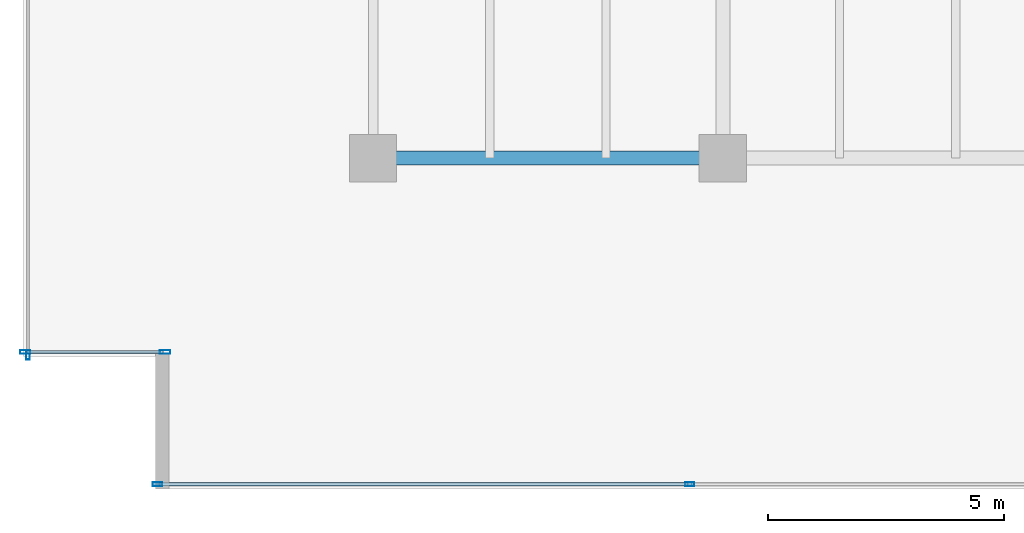
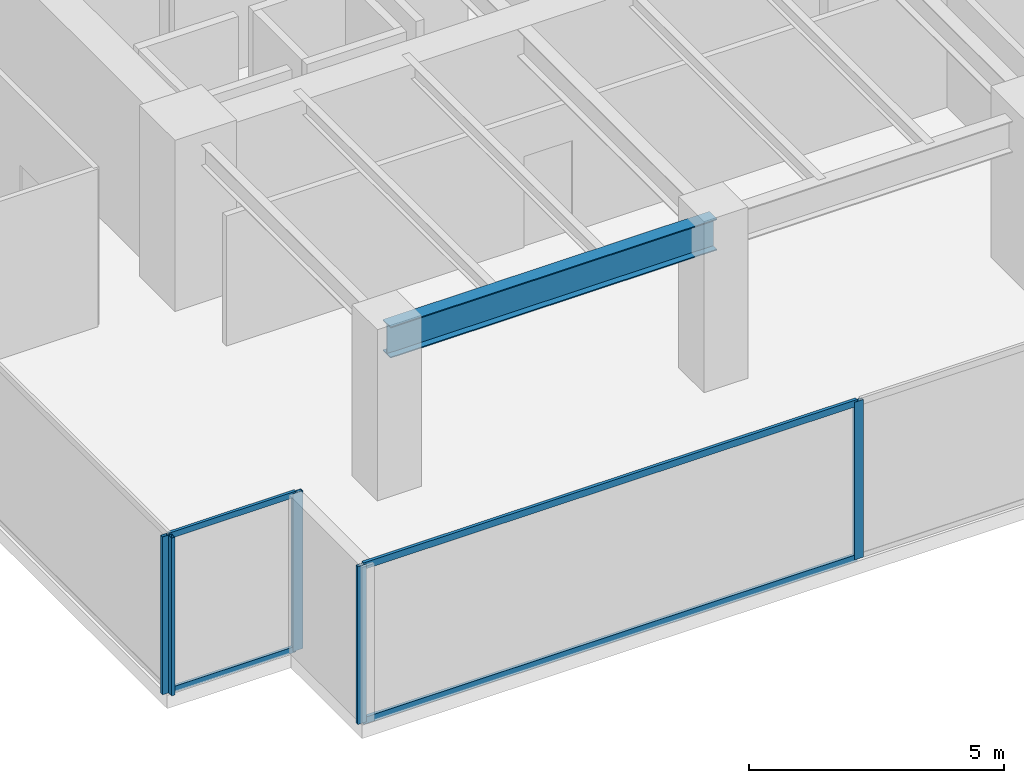
# One storey, part 2 of 35: 9 members, 1 beam, 3 elements without a shape of their own.
"""IFC4 building model written with IfcOpenShell, lengths in metres."""

from ifc_helpers import new_model, si_unit, direction, frame, origin, origin_2d, place, context, subcontext, project, spatial, hollow_rectangle, i_section, extrude, source, transform, mapped, material, layer, layer_set, material_profile, profile_set, type_object, type_shapes, element, aggregate, save


model = new_model("IFC4")

# Units and contexts
model_context = context("Model", 3, precision=1e-05, world=origin(), true_north=direction((0.0, 1.0)))
body_context = subcontext(model_context, "Body", "Model", "MODEL_VIEW")
ifc_project = project(units=[si_unit("LENGTHUNIT", "METRE"), si_unit("AREAUNIT", "SQUARE_METRE"), si_unit("VOLUMEUNIT", "CUBIC_METRE"), si_unit("PLANEANGLEUNIT", "RADIAN"), si_unit("MASSUNIT", "GRAM", prefix="KILO")], contexts=[model_context])

# Site, building, storey
site_placement = place(None, origin())
site = spatial("IfcSite", under=ifc_project, at=site_placement, CompositionType="ELEMENT")
building_placement = place(site_placement, origin())
building = spatial("IfcBuilding", under=site, at=building_placement, Name="Haelvirn Gate Laboratories", CompositionType="ELEMENT")
storey_placement = place(building_placement, frame((0.0, 0.0, 90.800048828125)))
storey = spatial("IfcBuildingStorey", under=building, at=storey_placement, Name="L22", CompositionType="ELEMENT", Elevation=90.800048828125)

# Beam
ifc_material_1 = material(Name="Steel SM355", Category="steel")
ifc_material_profile_1 = material_profile(ifc_material_1, i_section(OverallWidth=0.300048828125, OverallDepth=0.75, WebThickness=0.013916015625, FlangeThickness=0.02392578125, at=origin_2d()), Name="H-750x300x14x24")
ifc_profile_set_1 = profile_set([ifc_material_profile_1], Name="Steel SM355")
beam_type = type_object("IfcBeamType", Name="BM-G-750", PredefinedType="BEAM", material=ifc_profile_set_1)
shared_shape_1 = source(origin(), body_context, "Body", "SweptSolid", [
    extrude(i_section(OverallWidth=0.300048828125, OverallDepth=0.75, WebThickness=0.013916015625, FlangeThickness=0.02392578125, at=origin_2d()), origin(), (0.0, 0.0, 1.0), 7.400146484375),
])
type_shapes(beam_type, [shared_shape_1])
beam_placement = place(storey_placement, frame((7.39990234375, 7.0, 3.405029296875), z_axis=(1.0, 0.0, 0.0), x_axis=(0.0, 1.0, 0.0)))
element("IfcBeam", 1, at=beam_placement, inside=storey, type_object=beam_type, Name="L22 Primary Girder Y7.0 (7.4-14.8)", PredefinedType="BEAM", context=body_context, shape_type="MappedRepresentation", body=[
    mapped(shared_shape_1, transform((0.0, 0.0, 0.0), scale=1.0)),
])

# Curtain wall, members
ifc_material_2 = material(Name="Anodised bronze unitised aluminium & triple low-E glass", Category="aluminium")
ifc_layer_1 = layer(ifc_material_2, 0.18408203125, Name="CW-SYS-2")
ifc_layer_set_1 = layer_set([ifc_layer_1], Name="Anodised bronze unitised aluminium & triple low-E glass")
curtain_wall_type_1 = type_object("IfcCurtainWallType", Name="CW-SYS-2", PredefinedType="NOTDEFINED", material=ifc_layer_set_1)
curtain_wall_1_placement = place(storey_placement, origin())
curtain_wall_1 = element("IfcCurtainWall", 2, at=curtain_wall_1_placement, inside=storey, type_object=curtain_wall_type_1, Name="L22 Unitised Curtain Wall CW-L22-P0-E00-1", PredefinedType="NOTDEFINED")
ifc_material_3 = material(Name="Extruded aluminium 6063-T6 (anodised bronze)", Category="aluminium")
ifc_material_profile_2 = material_profile(ifc_material_3, hollow_rectangle(XDim=0.074951171875, YDim=0.199951171875, WallThickness=0.0048828125, at=origin_2d()), Name="CWM-200x75x5")
ifc_profile_set_2 = profile_set([ifc_material_profile_2], Name="Extruded aluminium 6063-T6 (anodised bronze)")
member_type_1 = type_object("IfcMemberType", Name="CWM-T200", PredefinedType="MULLION", material=ifc_profile_set_2)
shared_shape_2 = source(origin(), body_context, "Body", "SweptSolid", [
    extrude(hollow_rectangle(XDim=0.074951171875, YDim=0.199951171875, WallThickness=0.0048828125, at=origin_2d()), origin(), (0.0, 0.0, 1.0), 3.780029296875),
])
type_shapes(member_type_1, [shared_shape_2])
member_1_placement = place(storey_placement, frame((2.83740234375, 0.10009765625, 0.0), z_axis=(0.0, 0.0, 1.0), x_axis=(0.0, 1.0, 0.0)))
member_1 = element("IfcMember", 3, at=member_1_placement, type_object=member_type_1, Name="CW2 mullion 1", PredefinedType="MULLION", context=body_context, shape_type="MappedRepresentation", body=[
    mapped(shared_shape_2, transform((0.0, 0.0, 0.0), scale=1.0)),
])
member_2_placement = place(storey_placement, frame((14.10009765625, 0.10009765625, 0.0), z_axis=(0.0, 0.0, 1.0), x_axis=(0.0, 1.0, 0.0)))
member_2 = element("IfcMember", 4, at=member_2_placement, type_object=member_type_1, Name="CW2 mullion 2", PredefinedType="MULLION", context=body_context, shape_type="MappedRepresentation", body=[
    mapped(shared_shape_2, transform((0.0, 0.0, 0.0), scale=1.0)),
])

# Curtain wall, member
curtain_wall_2_placement = place(storey_placement, origin())
curtain_wall_2 = element("IfcCurtainWall", 5, at=curtain_wall_2_placement, inside=storey, type_object=curtain_wall_type_1, Name="L22 Unitised Curtain Wall CW-L22-P0-E17", PredefinedType="NOTDEFINED")
member_3_placement = place(storey_placement, frame((0.10009765625, 2.83740234375, 0.0), z_axis=(0.0, 0.0, 1.0), x_axis=(1.0, 0.0, 0.0)))
member_3 = element("IfcMember", 6, at=member_3_placement, type_object=member_type_1, Name="CW2 mullion 4", PredefinedType="MULLION", context=body_context, shape_type="MappedRepresentation", body=[
    mapped(shared_shape_2, transform((0.0, 0.0, 0.0), scale=1.0)),
])
aggregate(curtain_wall_2, [member_3])

# Member
ifc_material_profile_3 = material_profile(ifc_material_3, hollow_rectangle(XDim=0.070068359375, YDim=0.159912109375, WallThickness=0.0048828125, at=origin_2d()), Name="CWT-160x70x5")
ifc_profile_set_3 = profile_set([ifc_material_profile_3], Name="Extruded aluminium 6063-T6 (anodised bronze)")
member_type_2 = type_object("IfcMemberType", Name="CWT-T160", PredefinedType="USERDEFINED", material=ifc_profile_set_3)
shared_shape_3 = source(origin(), body_context, "Body", "SweptSolid", [
    extrude(hollow_rectangle(XDim=0.070068359375, YDim=0.159912109375, WallThickness=0.0048828125, at=origin_2d()), origin(), (0.0, 0.0, 1.0), 11.1875),
])
type_shapes(member_type_2, [shared_shape_3])
member_4_placement = place(storey_placement, frame((2.875, 0.10009765625, 0.034912109375), z_axis=(1.0, 0.0, 0.0), x_axis=(0.0, 1.0, 0.0)))
member_4 = element("IfcMember", 7, at=member_4_placement, type_object=member_type_2, Name="CW2 transom 1.1", ObjectType="TRANSOM", PredefinedType="USERDEFINED", context=body_context, shape_type="MappedRepresentation", body=[
    mapped(shared_shape_3, transform((0.0, 0.0, 0.0), scale=1.0)),
])

member_5_placement = place(storey_placement, frame((2.875, 0.10009765625, 3.744873046875), z_axis=(1.0, 0.0, 0.0), x_axis=(0.0, 1.0, 0.0)))
member_5 = element("IfcMember", 8, at=member_5_placement, type_object=member_type_2, Name="CW2 transom 1.2", ObjectType="TRANSOM", PredefinedType="USERDEFINED", context=body_context, shape_type="MappedRepresentation", body=[
    mapped(shared_shape_3, transform((0.0, 0.0, 0.0), scale=1.0)),
])

aggregate(curtain_wall_1, [member_1, member_2, member_4, member_5])

# Curtain wall, members
ifc_layer_2 = layer(ifc_material_2, 0.181884765625, Name="CW-SYS-5")
ifc_layer_set_2 = layer_set([ifc_layer_2], Name="Anodised bronze unitised aluminium & triple low-E glass")
curtain_wall_type_2 = type_object("IfcCurtainWallType", Name="CW-SYS-5", PredefinedType="NOTDEFINED", material=ifc_layer_set_2)
curtain_wall_3_placement = place(storey_placement, origin())
curtain_wall_3 = element("IfcCurtainWall", 9, at=curtain_wall_3_placement, inside=storey, type_object=curtain_wall_type_2, Name="L22 Unitised Curtain Wall CW-L22-P0-E18-1", PredefinedType="NOTDEFINED")
ifc_material_profile_4 = material_profile(ifc_material_3, hollow_rectangle(XDim=0.080078125, YDim=0.219970703125, WallThickness=0.006103515625, at=origin_2d()), Name="CWM-220x80x6")
ifc_profile_set_4 = profile_set([ifc_material_profile_4], Name="Extruded aluminium 6063-T6 (anodised bronze)")
member_type_3 = type_object("IfcMemberType", Name="CWM-T220", PredefinedType="MULLION", material=ifc_profile_set_4)
shared_shape_4 = source(origin(), body_context, "Body", "SweptSolid", [
    extrude(hollow_rectangle(XDim=0.080078125, YDim=0.219970703125, WallThickness=0.006103515625, at=origin_2d()), origin(), (0.0, 0.0, 1.0), 3.780029296875),
])
type_shapes(member_type_3, [shared_shape_4])
member_6_placement = place(storey_placement, frame((0.0400390625, 2.89990234375, 0.0), z_axis=(0.0, 0.0, 1.0), x_axis=(0.0, 1.0, 0.0)))
member_6 = element("IfcMember", 10, at=member_6_placement, type_object=member_type_3, Name="CW5 mullion 1", PredefinedType="MULLION", context=body_context, shape_type="MappedRepresentation", body=[
    mapped(shared_shape_4, transform((0.0, 0.0, 0.0), scale=1.0)),
])
member_7_placement = place(storey_placement, frame((3.0, 2.89990234375, 0.0), z_axis=(0.0, 0.0, 1.0), x_axis=(0.0, 1.0, 0.0)))
member_7 = element("IfcMember", 11, at=member_7_placement, type_object=member_type_3, Name="CW5 mullion 2", PredefinedType="MULLION", context=body_context, shape_type="MappedRepresentation", body=[
    mapped(shared_shape_4, transform((0.0, 0.0, 0.0), scale=1.0)),
])
ifc_material_profile_5 = material_profile(ifc_material_3, hollow_rectangle(XDim=0.06494140625, YDim=0.139892578125, WallThickness=0.00390625, at=origin_2d()), Name="CWT-140x65x4")
ifc_profile_set_5 = profile_set([ifc_material_profile_5], Name="Extruded aluminium 6063-T6 (anodised bronze)")
member_type_4 = type_object("IfcMemberType", Name="CWT-T140", PredefinedType="USERDEFINED", material=ifc_profile_set_5)
shared_shape_5 = source(origin(), body_context, "Body", "SweptSolid", [
    extrude(hollow_rectangle(XDim=0.06494140625, YDim=0.139892578125, WallThickness=0.00390625, at=origin_2d()), origin(), (0.0, 0.0, 1.0), 2.8798828125),
])
type_shapes(member_type_4, [shared_shape_5])
member_8_placement = place(storey_placement, frame((0.080078125, 2.89990234375, 0.032470703125), z_axis=(1.0, 0.0, 0.0), x_axis=(0.0, 1.0, 0.0)))
member_8 = element("IfcMember", 12, at=member_8_placement, type_object=member_type_4, Name="CW5 transom 1.1", ObjectType="TRANSOM", PredefinedType="USERDEFINED", context=body_context, shape_type="MappedRepresentation", body=[
    mapped(shared_shape_5, transform((0.0, 0.0, 0.0), scale=1.0)),
])
member_9_placement = place(storey_placement, frame((0.080078125, 2.89990234375, 3.74755859375), z_axis=(1.0, 0.0, 0.0), x_axis=(0.0, 1.0, 0.0)))
member_9 = element("IfcMember", 13, at=member_9_placement, type_object=member_type_4, Name="CW5 transom 1.2", ObjectType="TRANSOM", PredefinedType="USERDEFINED", context=body_context, shape_type="MappedRepresentation", body=[
    mapped(shared_shape_5, transform((0.0, 0.0, 0.0), scale=1.0)),
])
aggregate(curtain_wall_3, [member_6, member_7, member_8, member_9])

save(model, "model.ifc")
